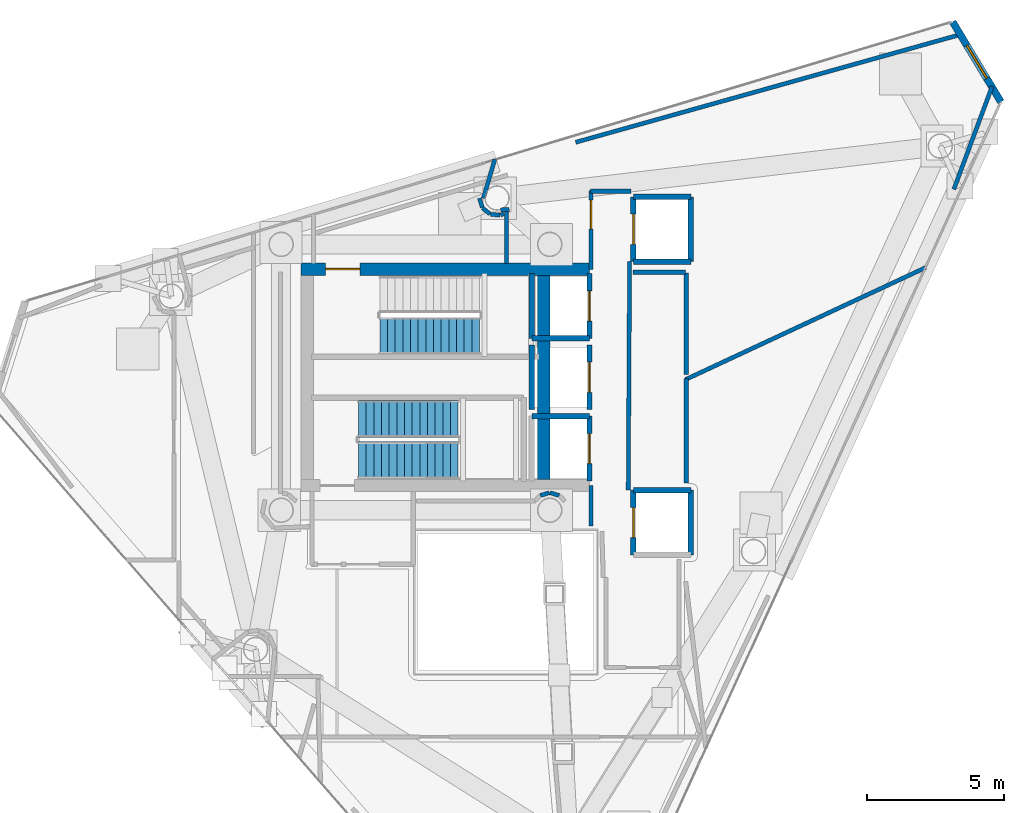
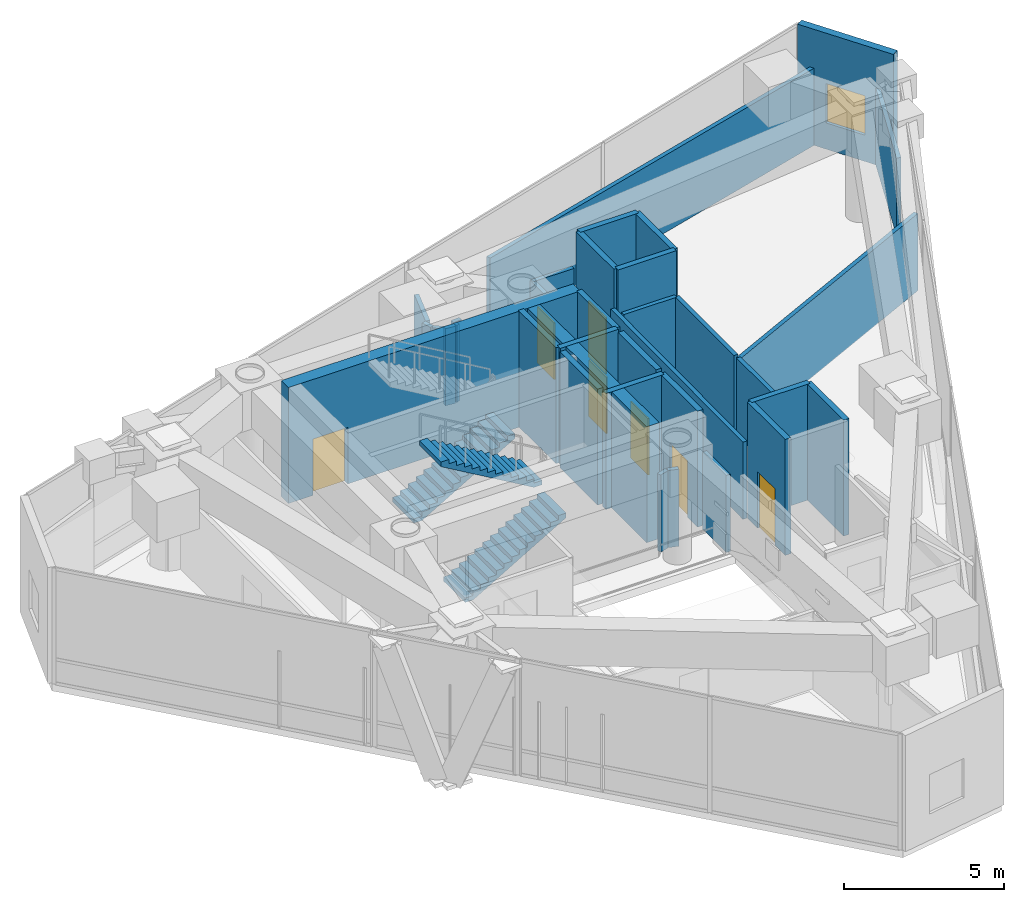
# One storey, part 17 of 20: 36 walls, 7 doors, 3 stair flights, 1 window, 8 openings, 2 elements without a shape of their own.
"""IFC4 building model written with IfcOpenShell, lengths in metres."""

from ifc_helpers import new_model, si_unit, direction, frame, frame_2d, origin, place, context, subcontext, project, spatial, polyline, rectangle, outline, extrude, material, layer, layer_set, type_object, element, fill, aggregate, save


model = new_model("IFC4")

# Units and contexts
model_context = context("Model", 3, precision=1e-05, world=origin(), true_north=direction((0.0, 1.0)))
body_context = subcontext(model_context, "Body", "Model", "MODEL_VIEW")
ifc_project = project(units=[si_unit("LENGTHUNIT", "METRE"), si_unit("AREAUNIT", "SQUARE_METRE"), si_unit("VOLUMEUNIT", "CUBIC_METRE"), si_unit("PLANEANGLEUNIT", "RADIAN"), si_unit("MASSUNIT", "GRAM", prefix="KILO")], contexts=[model_context])

# Site, building, storey
site_placement = place(None, origin())
site = spatial("IfcSite", under=ifc_project, at=site_placement, CompositionType="ELEMENT")
building_placement = place(site_placement, origin())
building = spatial("IfcBuilding", under=site, at=building_placement, Name="Qianvela Tower", CompositionType="ELEMENT")
storey_placement = place(building_placement, frame((0.0, 0.0, 321.300048828125)))
storey = spatial("IfcBuildingStorey", under=building, at=storey_placement, Name="L83", CompositionType="ELEMENT", Elevation=321.300048828125)

# Wall, opening, window
ifc_material_1 = material(Name="Terracotta Cladding on Concrete C40", Category="masonry")
ifc_layer_1 = layer(ifc_material_1, 0.260009765625)
ifc_layer_set_1 = layer_set([ifc_layer_1], Name="Terracotta Cladding on Concrete C40")
wall_type_1 = type_object("IfcWallType", Name="TERRACOTTA-WALL-260", PredefinedType="SOLIDWALL", material=ifc_layer_set_1)
wall_1_placement = place(storey_placement, frame((54.860595703125, 38.748046875, 0.0), z_axis=(0.0, 0.0, 1.0), x_axis=(-0.516431513538, 0.856328495278, 0.0)))
wall_1 = element("IfcWall", 1, at=wall_1_placement, inside=storey, type_object=wall_type_1, Name="L83 Terracotta Chamfer Facet Wall 1", PredefinedType="SOLIDWALL", context=body_context, shape_type="SweptSolid", body=[
    extrude(rectangle(XDim=3.410400390625, YDim=0.260009765625, at=frame_2d((1.705078125, 0.0))), origin(), (0.0, 0.0, 1.0), 4.419921875),
])
opening_1_placement = place(wall_1_placement, frame((1.005126953125, 0.0, 1.0)))
opening_1 = element("IfcOpeningElement", 2, at=opening_1_placement, cuts=wall_1, Name="Opening W-06", PredefinedType="OPENING", context=body_context, shape_type="SweptSolid", body=[
    extrude(rectangle(XDim=1.39990234375, YDim=1.5, at=frame_2d((0.699951171875, 0.75))), frame((0.0, 0.139892578125, 0.0), z_axis=(0.0, -1.0, 0.0), x_axis=(1.0, 0.0, 0.0)), (0.0, 0.0, 1.0), 0.280029296875),
])
ifc_material_2 = material(Name="Thermally Broken Aluminium and Low-E Glass", Category="aluminium")
window_type = type_object("IfcWindowType", Name="WIN-REF-1400x1500", PartitioningType="SINGLE_PANEL", PredefinedType="WINDOW", material=ifc_material_2)
window_placement = place(opening_1_placement, origin())
window = element("IfcWindow", 3, at=window_placement, inside=storey, type_object=window_type, Name="L83 Chamfer Facet Window 1.1", OverallHeight=1.5, OverallWidth=1.39990234375, PartitioningType="SINGLE_PANEL", PredefinedType="WINDOW", context=body_context, shape_type="SweptSolid", body=[
    extrude(rectangle(XDim=1.39990234375, YDim=1.5, at=frame_2d((0.699951171875, 0.75))), frame((0.0, 0.030029296875, 0.0), z_axis=(0.0, -1.0, 0.0), x_axis=(1.0, 0.0, 0.0)), (0.0, 0.0, 1.0), 0.06005859375),
])
fill(opening_1, window)

# Wall, opening, door
ifc_material_3 = material(Name="Concrete C50", Category="concrete")
ifc_layer_2 = layer(ifc_material_3, 0.449951171875)
ifc_layer_set_2 = layer_set([ifc_layer_2], Name="Concrete C50")
wall_type_2 = type_object("IfcWallType", Name="WT-CORE-450", PredefinedType="SHEAR", material=ifc_layer_set_2)
wall_2_placement = place(storey_placement, frame((29.330078125, 32.64501953125, 0.0), z_axis=(0.0, 0.0, 1.0), x_axis=(1.0, 0.0, 0.0)))
wall_2 = element("IfcWall", 4, at=wall_2_placement, inside=storey, type_object=wall_type_2, Name="L83 North Core Shear Wall", PredefinedType="SHEAR", context=body_context, shape_type="SweptSolid", body=[
    extrude(rectangle(XDim=10.52001953125, YDim=0.449951171875, at=frame_2d((5.260009765625, 0.0))), origin(), (0.0, 0.0, 1.0), 4.419921875),
])
opening_2_placement = place(wall_2_placement, frame((0.89501953125, 0.0, 0.0)))
opening_2 = element("IfcOpeningElement", 5, at=opening_2_placement, cuts=wall_2, Name="Opening D-ST1", PredefinedType="OPENING", context=body_context, shape_type="SweptSolid", body=[
    extrude(rectangle(XDim=1.25, YDim=2.14990234375, at=frame_2d((0.625, 1.074951171875))), frame((0.0, 0.23486328125, 0.0), z_axis=(0.0, -1.0, 0.0), x_axis=(1.0, 0.0, 0.0)), (0.0, 0.0, 1.0), 0.469970703125),
])
ifc_material_4 = material(Name="Galvanised Fire Steel Q355B", Category="steel")
door_type_1 = type_object("IfcDoorType", Name="DT-STAIR-FD90", OperationType="NOTDEFINED", PredefinedType="DOOR", material=ifc_material_4)
door_1_placement = place(opening_2_placement, origin())
door_1 = element("IfcDoor", 6, at=door_1_placement, inside=storey, type_object=door_type_1, Name="L83 Stair ST-1 Exit Door", OperationType="SINGLE_SWING_RIGHT", OverallHeight=2.14990234375, OverallWidth=1.25, PredefinedType="DOOR", context=body_context, shape_type="SweptSolid", body=[
    extrude(rectangle(XDim=1.25, YDim=2.14990234375, at=frame_2d((0.625, 1.074951171875))), frame((0.0, 0.02490234375, 0.0), z_axis=(0.0, -1.0, 0.0), x_axis=(1.0, 0.0, 0.0)), (0.0, 0.0, 1.0), 0.050048828125),
])
fill(opening_2, door_1)

# Walls
wall_3_placement = place(storey_placement, frame((38.179931640625, 24.97998046875, 0.0), z_axis=(0.0, 0.0, 1.0), x_axis=(0.0, 1.0, 0.0)))
element("IfcWall", 7, at=wall_3_placement, inside=storey, type_object=wall_type_2, Name="L83 East Spine Core Shear Wall", PredefinedType="SHEAR", context=body_context, shape_type="SweptSolid", body=[
    extrude(rectangle(XDim=7.43994140625, YDim=0.449951171875, at=frame_2d((3.719970703125, 0.0))), origin(), (0.0, 0.0, 1.0), 4.419921875),
])
ifc_material_5 = material(Name="Fire-Rated Acoustic Gypsum Board")
ifc_layer_3 = layer(ifc_material_5, 0.14990234375)
ifc_layer_set_3 = layer_set([ifc_layer_3], Name="Fire-Rated Acoustic Gypsum Board")
wall_type_3 = type_object("IfcWallType", Name="WT-CORR-150", PredefinedType="PARTITIONING", material=ifc_layer_set_3)
wall_4_placement = place(storey_placement, frame((35.836181640625, 35.23388671875, 0.0), z_axis=(0.0, 0.0, 1.0), x_axis=(0.29088731233, -0.956757321124, 0.0)))
element("IfcWall", 8, at=wall_4_placement, inside=storey, type_object=wall_type_3, Name="L83 Partition 5", PredefinedType="PARTITIONING", context=body_context, shape_type="SweptSolid", body=[
    extrude(rectangle(XDim=0.354248046875, YDim=0.14990234375, at=frame_2d((0.17724609375, 0.0))), origin(), (0.0, 0.0, 1.0), 2.93994140625),
])
wall_5_placement = place(storey_placement, frame((35.94921875, 34.880126953125, 0.0), z_axis=(0.0, 0.0, 1.0), x_axis=(0.77300400279, -0.634401144128, 0.0)))
element("IfcWall", 9, at=wall_5_placement, inside=storey, type_object=wall_type_3, Name="L83 Partition 6", PredefinedType="PARTITIONING", context=body_context, shape_type="SweptSolid", body=[
    extrude(rectangle(XDim=0.35400390625, YDim=0.14990234375, at=frame_2d((0.177001953125, 0.0))), origin(), (0.0, 0.0, 1.0), 2.93994140625),
])
wall_6_placement = place(storey_placement, frame((36.239501953125, 34.648681640625, 0.0), z_axis=(0.0, 0.0, 1.0), x_axis=(0.995199611942, -0.097865889817, 0.0)))
element("IfcWall", 10, at=wall_6_placement, inside=storey, type_object=wall_type_3, Name="L83 Partition 7", PredefinedType="PARTITIONING", context=body_context, shape_type="SweptSolid", body=[
    extrude(rectangle(XDim=0.354248046875, YDim=0.14990234375, at=frame_2d((0.17724609375, 0.0))), origin(), (0.0, 0.0, 1.0), 2.93994140625),
])
wall_7_placement = place(storey_placement, frame((36.608154296875, 34.61669921875, 0.0), z_axis=(0.0, 0.0, 1.0), x_axis=(0.90494499914, 0.425528551957, 0.0)))
element("IfcWall", 11, at=wall_7_placement, inside=storey, type_object=wall_type_3, Name="L83 Partition 8", PredefinedType="PARTITIONING", context=body_context, shape_type="SweptSolid", body=[
    extrude(rectangle(XDim=0.13134765625, YDim=0.14990234375, at=frame_2d((0.065673828125, 0.0))), origin(), (0.0, 0.0, 1.0), 2.93994140625),
])
wall_8_placement = place(storey_placement, frame((36.819091796875, 34.7646484375, 0.0), z_axis=(0.0, 0.0, 1.0), x_axis=(0.0, -1.0, 0.0)))
element("IfcWall", 12, at=wall_8_placement, inside=storey, type_object=wall_type_3, Name="L83 Partition 9", PredefinedType="PARTITIONING", context=body_context, shape_type="SweptSolid", body=[
    extrude(rectangle(XDim=1.90673828125, YDim=0.14990234375, at=frame_2d((0.953369140625, 0.0))), origin(), (0.0, 0.0, 1.0), 2.93994140625),
])
wall_9_placement = place(storey_placement, frame((39.910888671875, 23.280029296875, 0.0), z_axis=(0.0, 0.0, 1.0), x_axis=(0.0, 1.0, 0.0)))
element("IfcWall", 13, at=wall_9_placement, inside=storey, type_object=wall_type_3, Name="L83 Partition 18", PredefinedType="PARTITIONING", context=body_context, shape_type="SweptSolid", body=[
    extrude(rectangle(XDim=1.47998046875, YDim=0.14990234375, at=frame_2d((0.739990234375, 0.0))), origin(), (0.0, 0.0, 1.0), 2.93994140625),
])

# Wall, opening, door
wall_10_placement = place(storey_placement, frame((39.910888671875, 32.639892578125, 0.0), z_axis=(0.0, 0.0, 1.0), x_axis=(0.0, 1.0, 0.0)))
wall_10 = element("IfcWall", 14, at=wall_10_placement, inside=storey, type_object=wall_type_3, Name="L83 Partition 20", PredefinedType="PARTITIONING", context=body_context, shape_type="SweptSolid", body=[
    extrude(rectangle(XDim=2.880126953125, YDim=0.14990234375, at=frame_2d((1.43994140625, 0.0))), origin(), (0.0, 0.0, 1.0), 2.93994140625),
])
opening_3_placement = place(wall_10_placement, frame((1.47509765625, 0.0, 0.0)))
opening_3 = element("IfcOpeningElement", 15, at=opening_3_placement, cuts=wall_10, Name="Opening D-PL1", PredefinedType="OPENING", context=body_context, shape_type="SweptSolid", body=[
    extrude(rectangle(XDim=1.050048828125, YDim=2.14990234375, at=frame_2d((0.52490234375, 1.074951171875))), frame((0.0, 0.0849609375, 0.0), z_axis=(0.0, -1.0, 0.0), x_axis=(1.0, 0.0, 0.0)), (0.0, 0.0, 1.0), 0.169921875),
])
ifc_material_6 = material(Name="Insulated Steel Fire Door Q355B", Category="steel")
door_type_2 = type_object("IfcDoorType", Name="DT-PLANT-FD90", OperationType="NOTDEFINED", PredefinedType="DOOR", material=ifc_material_6)
door_2_placement = place(opening_3_placement, origin())
door_2 = element("IfcDoor", 16, at=door_2_placement, inside=storey, type_object=door_type_2, Name="L83 Door L83 Fire Water Tank and Pump Room to L83 Lift Lobby", OperationType="SINGLE_SWING_LEFT", OverallHeight=2.14990234375, OverallWidth=1.050048828125, PredefinedType="DOOR", context=body_context, shape_type="SweptSolid", body=[
    extrude(rectangle(XDim=1.050048828125, YDim=2.14990234375, at=frame_2d((0.52490234375, 1.074951171875))), frame((0.0, 0.02490234375, 0.0), z_axis=(0.0, -1.0, 0.0), x_axis=(1.0, 0.0, 0.0)), (0.0, 0.0, 1.0), 0.050048828125),
])
fill(opening_3, door_2)

# Walls
wall_11_placement = place(storey_placement, frame((39.8798828125, 35.489013671875, 0.0), z_axis=(0.0, 0.0, 1.0), x_axis=(1.0, 0.0, 0.0)))
element("IfcWall", 17, at=wall_11_placement, inside=storey, type_object=wall_type_3, Name="L83 Partition 21", PredefinedType="PARTITIONING", context=body_context, shape_type="SweptSolid", body=[
    extrude(rectangle(XDim=1.480224609375, YDim=0.14990234375, at=frame_2d((0.740234375, 0.0))), origin(), (0.0, 0.0, 1.0), 2.93994140625),
])
wall_12_placement = place(storey_placement, frame((41.3134765625, 32.919921875, 0.0), z_axis=(0.0, 0.0, 1.0), x_axis=(-0.005942518022, -0.999982343084, 0.0)))
element("IfcWall", 18, at=wall_12_placement, inside=storey, type_object=wall_type_3, Name="L83 Partition 22 seg 2", PredefinedType="PARTITIONING", context=body_context, shape_type="SweptSolid", body=[
    extrude(rectangle(XDim=8.340087890625, YDim=0.14990234375, at=frame_2d((4.169921875, 0.0))), origin(), (0.0, 0.0, 1.0), 2.93994140625),
])
wall_13_placement = place(storey_placement, frame((38.747802734375, 24.386962890625, 0.0), z_axis=(0.0, 0.0, 1.0), x_axis=(-0.956948991291, 0.290256142171, 0.0)))
element("IfcWall", 19, at=wall_13_placement, inside=storey, type_object=wall_type_3, Name="L83 Partition 40", PredefinedType="PARTITIONING", context=body_context, shape_type="SweptSolid", body=[
    extrude(rectangle(XDim=0.35400390625, YDim=0.14990234375, at=frame_2d((0.177001953125, 0.0))), origin(), (0.0, 0.0, 1.0), 2.93994140625),
])
wall_14_placement = place(storey_placement, frame((38.39111328125, 24.48974609375, 0.0), z_axis=(0.0, 0.0, 1.0), x_axis=(-0.957007018611, -0.290064762301, 0.0)))
element("IfcWall", 20, at=wall_14_placement, inside=storey, type_object=wall_type_3, Name="L83 Partition 41", PredefinedType="PARTITIONING", context=body_context, shape_type="SweptSolid", body=[
    extrude(rectangle(XDim=0.354248046875, YDim=0.14990234375, at=frame_2d((0.17724609375, 0.0))), origin(), (0.0, 0.0, 1.0), 2.93994140625),
])
wall_15_placement = place(storey_placement, frame((43.381103515625, 24.85009765625, 0.0), z_axis=(0.0, 0.0, 1.0), x_axis=(0.0, 1.0, 0.0)))
element("IfcWall", 21, at=wall_15_placement, inside=storey, type_object=wall_type_3, Name="L83 Partition 82", PredefinedType="PARTITIONING", context=body_context, shape_type="SweptSolid", body=[
    extrude(rectangle(XDim=3.800537109375, YDim=0.14990234375, at=frame_2d((1.900390625, 0.0))), origin(), (0.0, 0.0, 1.0), 2.93994140625),
])
wall_16_placement = place(storey_placement, frame((43.363037109375, 28.62255859375, 0.0), z_axis=(0.0, 0.0, 1.0), x_axis=(0.906306431774, 0.422621168099, 0.0)))
element("IfcWall", 22, at=wall_16_placement, inside=storey, type_object=wall_type_3, Name="L83 Partition 83", PredefinedType="PARTITIONING", context=body_context, shape_type="SweptSolid", body=[
    extrude(rectangle(XDim=9.659423828125, YDim=0.14990234375, at=frame_2d((4.82958984375, 0.0))), origin(), (0.0, 0.0, 1.0), 2.93994140625),
])
wall_17_placement = place(storey_placement, frame((36.921630859375, 34.826904296875, 0.0), z_axis=(0.0, 0.0, 1.0), x_axis=(-0.998076926927, -0.061987482097, 0.0)))
element("IfcWall", 23, at=wall_17_placement, inside=storey, type_object=wall_type_3, Name="L83 Partition 102 seg 1", PredefinedType="PARTITIONING", context=body_context, shape_type="SweptSolid", body=[
    extrude(rectangle(XDim=0.31103515625, YDim=0.14990234375, at=frame_2d((0.155517578125, 0.0))), origin(), (0.0, 0.0, 1.0), 2.93994140625),
])
wall_18_placement = place(storey_placement, frame((35.9765625, 35.230224609375, 0.0), z_axis=(0.0, 0.0, 1.0), x_axis=(0.283119181647, 0.959084735038, 0.0)))
element("IfcWall", 24, at=wall_18_placement, inside=storey, type_object=wall_type_3, Name="L83 Partition 105", PredefinedType="PARTITIONING", context=body_context, shape_type="SweptSolid", body=[
    extrude(rectangle(XDim=1.484130859375, YDim=0.14990234375, at=frame_2d((0.7421875, 0.0))), origin(), (0.0, 0.0, 1.0), 2.93994140625),
])
wall_19_placement = place(storey_placement, frame((39.34423828125, 37.2734375, 0.0), z_axis=(0.0, 0.0, 1.0), x_axis=(0.96295429031, 0.269664670976, 0.0)))
element("IfcWall", 25, at=wall_19_placement, inside=storey, type_object=wall_type_3, Name="L83 Partition 113 seg 2", PredefinedType="PARTITIONING", context=body_context, shape_type="SweptSolid", body=[
    extrude(rectangle(XDim=14.59521484375, YDim=0.14990234375, at=frame_2d((7.297607421875, 0.0))), origin(), (0.0, 0.0, 1.0), 2.93994140625),
])
wall_20_placement = place(storey_placement, frame((54.539794921875, 39.31201171875, 0.0), z_axis=(0.0, 0.0, 1.0), x_axis=(-0.34907858758, -0.93709345302, 0.0)))
element("IfcWall", 26, at=wall_20_placement, inside=storey, type_object=wall_type_3, Name="L83 Partition 115 seg 1", PredefinedType="PARTITIONING", context=body_context, shape_type="SweptSolid", body=[
    extrude(rectangle(XDim=4.00537109375, YDim=0.14990234375, at=frame_2d((2.002685546875, 0.0))), origin(), (0.0, 0.0, 1.0), 2.93994140625),
])
wall_21_placement = place(storey_placement, frame((43.381103515625, 28.80517578125, 0.0), z_axis=(0.0, 0.0, 1.0), x_axis=(0.0, 1.0, 0.0)))
element("IfcWall", 27, at=wall_21_placement, inside=storey, type_object=wall_type_3, Name="L83 Partition 117", PredefinedType="PARTITIONING", context=body_context, shape_type="SweptSolid", body=[
    extrude(rectangle(XDim=3.69482421875, YDim=0.14990234375, at=frame_2d((1.847412109375, 0.0))), origin(), (0.0, 0.0, 1.0), 2.93994140625),
])
wall_22_placement = place(storey_placement, frame((43.35009765625, 32.531005859375, 0.0), z_axis=(0.0, 0.0, 1.0), x_axis=(-1.0, 0.0, 0.0)))
element("IfcWall", 28, at=wall_22_placement, inside=storey, type_object=wall_type_3, Name="L83 Partition 118", PredefinedType="PARTITIONING", context=body_context, shape_type="SweptSolid", body=[
    extrude(rectangle(XDim=1.91015625, YDim=0.14990234375, at=frame_2d((0.955078125, 0.0))), origin(), (0.0, 0.0, 1.0), 2.93994140625),
])

# Wall, opening, door
ifc_material_7 = material(Name="Concrete C50", Category="concrete")
ifc_layer_4 = layer(ifc_material_7, 0.199951171875)
ifc_layer_set_4 = layer_set([ifc_layer_4], Name="Concrete C50")
wall_type_4 = type_object("IfcWallType", Name="WT-SHAFT-200", PredefinedType="SOLIDWALL", material=ifc_layer_set_4)
wall_23_placement = place(storey_placement, frame((39.85009765625, 30.1201171875, 0.0), z_axis=(0.0, 0.0, 1.0), x_axis=(0.0, 1.0, 0.0)))
wall_23 = element("IfcWall", 29, at=wall_23_placement, inside=storey, type_object=wall_type_4, Name="L83 Lift FL-1 E Shaft Wall", PredefinedType="SOLIDWALL", context=body_context, shape_type="SweptSolid", body=[
    extrude(rectangle(XDim=2.35986328125, YDim=0.199951171875, at=frame_2d((1.179931640625, 0.0))), origin(), (0.0, 0.0, 1.0), 4.419921875),
])
opening_4_placement = place(wall_23_placement, frame((0.6298828125, 0.0, 0.0)))
opening_4 = element("IfcOpeningElement", 30, at=opening_4_placement, cuts=wall_23, Name="Opening LD-01", PredefinedType="OPENING", context=body_context, shape_type="SweptSolid", body=[
    extrude(rectangle(XDim=1.10009765625, YDim=2.14990234375, at=frame_2d((0.550048828125, 1.074951171875))), frame((0.0, 0.10986328125, 0.0), z_axis=(0.0, -1.0, 0.0), x_axis=(1.0, 0.0, 0.0)), (0.0, 0.0, 1.0), 0.219970703125),
])
ifc_material_8 = material(Name="Brushed Stainless Steel Lift Landing Door", Category="steel")
door_type_3 = type_object("IfcDoorType", Name="DT-LIFT-SLIDE-1100", OperationType="SLIDING_TO_LEFT", PredefinedType="DOOR", material=ifc_material_8)
door_3_placement = place(opening_4_placement, origin())
door_3 = element("IfcDoor", 31, at=door_3_placement, inside=storey, type_object=door_type_3, Name="L83 Lift FL-1 Sliding Landing Door", OperationType="SLIDING_TO_LEFT", OverallHeight=2.14990234375, OverallWidth=1.10009765625, PredefinedType="DOOR", context=body_context, shape_type="SweptSolid", body=[
    extrude(rectangle(XDim=1.10009765625, YDim=2.14990234375, at=frame_2d((0.550048828125, 1.074951171875))), frame((0.0, 0.02490234375, 0.0), z_axis=(0.0, -1.0, 0.0), x_axis=(1.0, 0.0, 0.0)), (0.0, 0.0, 1.0), 0.050048828125),
])
fill(opening_4, door_3)

# Walls
wall_24_placement = place(storey_placement, frame((37.75, 30.1201171875, 0.0), z_axis=(0.0, 0.0, 1.0), x_axis=(0.0, 1.0, 0.0)))
element("IfcWall", 32, at=wall_24_placement, inside=storey, type_object=wall_type_4, Name="L83 Lift FL-1 W Shaft Wall", PredefinedType="SOLIDWALL", context=body_context, shape_type="SweptSolid", body=[
    extrude(rectangle(XDim=2.35986328125, YDim=0.199951171875, at=frame_2d((1.179931640625, 0.0))), origin(), (0.0, 0.0, 1.0), 4.419921875),
])
wall_25_placement = place(storey_placement, frame((37.75, 30.1201171875, 0.0), z_axis=(0.0, 0.0, 1.0), x_axis=(1.0, 0.0, 0.0)))
element("IfcWall", 33, at=wall_25_placement, inside=storey, type_object=wall_type_4, Name="L83 Lift FL-1 S Shaft Wall", PredefinedType="SOLIDWALL", context=body_context, shape_type="SweptSolid", body=[
    extrude(rectangle(XDim=2.10009765625, YDim=0.199951171875, at=frame_2d((1.050048828125, 0.0))), origin(), (0.0, 0.0, 1.0), 4.419921875),
])

# Wall, opening, door
wall_26_placement = place(storey_placement, frame((39.85009765625, 24.919921875, 0.0), z_axis=(0.0, 0.0, 1.0), x_axis=(0.0, 1.0, 0.0)))
wall_26 = element("IfcWall", 34, at=wall_26_placement, inside=storey, type_object=wall_type_4, Name="L83 Lift FL-2 E Shaft Wall", PredefinedType="SOLIDWALL", context=body_context, shape_type="SweptSolid", body=[
    extrude(rectangle(XDim=2.360107421875, YDim=0.199951171875, at=frame_2d((1.18017578125, 0.0))), origin(), (0.0, 0.0, 1.0), 4.419921875),
])
opening_5_placement = place(wall_26_placement, frame((0.6298828125, 0.0, 0.0)))
opening_5 = element("IfcOpeningElement", 35, at=opening_5_placement, cuts=wall_26, Name="Opening LD-01", PredefinedType="OPENING", context=body_context, shape_type="SweptSolid", body=[
    extrude(rectangle(XDim=1.10009765625, YDim=2.14990234375, at=frame_2d((0.550048828125, 1.074951171875))), frame((0.0, 0.10986328125, 0.0), z_axis=(0.0, -1.0, 0.0), x_axis=(1.0, 0.0, 0.0)), (0.0, 0.0, 1.0), 0.219970703125),
])
door_4_placement = place(opening_5_placement, origin())
door_4 = element("IfcDoor", 36, at=door_4_placement, inside=storey, type_object=door_type_3, Name="L83 Lift FL-2 Sliding Landing Door", OperationType="SLIDING_TO_LEFT", OverallHeight=2.14990234375, OverallWidth=1.10009765625, PredefinedType="DOOR", context=body_context, shape_type="SweptSolid", body=[
    extrude(rectangle(XDim=1.10009765625, YDim=2.14990234375, at=frame_2d((0.550048828125, 1.074951171875))), frame((0.0, 0.02490234375, 0.0), z_axis=(0.0, -1.0, 0.0), x_axis=(1.0, 0.0, 0.0)), (0.0, 0.0, 1.0), 0.050048828125),
])
fill(opening_5, door_4)

# Wall
wall_27_placement = place(storey_placement, frame((37.75, 27.280029296875, 0.0), z_axis=(0.0, 0.0, 1.0), x_axis=(1.0, 0.0, 0.0)))
element("IfcWall", 37, at=wall_27_placement, inside=storey, type_object=wall_type_4, Name="L83 Lift FL-2 N Shaft Wall", PredefinedType="SOLIDWALL", context=body_context, shape_type="SweptSolid", body=[
    extrude(rectangle(XDim=2.10009765625, YDim=0.199951171875, at=frame_2d((1.050048828125, 0.0))), origin(), (0.0, 0.0, 1.0), 4.419921875),
])

# Wall, opening, door
wall_28_placement = place(storey_placement, frame((39.85009765625, 27.52001953125, 0.0), z_axis=(0.0, 0.0, 1.0), x_axis=(0.0, 1.0, 0.0)))
wall_28 = element("IfcWall", 38, at=wall_28_placement, inside=storey, type_object=wall_type_4, Name="L83 Lift PL-H1 E Shaft Wall", PredefinedType="SOLIDWALL", context=body_context, shape_type="SweptSolid", body=[
    extrude(rectangle(XDim=2.35986328125, YDim=0.199951171875, at=frame_2d((1.179931640625, 0.0))), origin(), (0.0, 0.0, 1.0), 4.419921875),
])
opening_6_placement = place(wall_28_placement, frame((0.6298828125, 0.0, 0.0)))
opening_6 = element("IfcOpeningElement", 39, at=opening_6_placement, cuts=wall_28, Name="Opening LD-01", PredefinedType="OPENING", context=body_context, shape_type="SweptSolid", body=[
    extrude(rectangle(XDim=1.10009765625, YDim=2.14990234375, at=frame_2d((0.550048828125, 1.074951171875))), frame((0.0, 0.10986328125, 0.0), z_axis=(0.0, -1.0, 0.0), x_axis=(1.0, 0.0, 0.0)), (0.0, 0.0, 1.0), 0.219970703125),
])
door_5_placement = place(opening_6_placement, origin())
door_5 = element("IfcDoor", 40, at=door_5_placement, inside=storey, type_object=door_type_3, Name="L83 Lift PL-H1 Sliding Landing Door", OperationType="SLIDING_TO_LEFT", OverallHeight=2.14990234375, OverallWidth=1.10009765625, PredefinedType="DOOR", context=body_context, shape_type="SweptSolid", body=[
    extrude(rectangle(XDim=1.10009765625, YDim=2.14990234375, at=frame_2d((0.550048828125, 1.074951171875))), frame((0.0, 0.02490234375, 0.0), z_axis=(0.0, -1.0, 0.0), x_axis=(1.0, 0.0, 0.0)), (0.0, 0.0, 1.0), 0.050048828125),
])
fill(opening_6, door_5)

# Walls
wall_29_placement = place(storey_placement, frame((37.75, 27.52001953125, 0.0), z_axis=(0.0, 0.0, 1.0), x_axis=(0.0, 1.0, 0.0)))
element("IfcWall", 41, at=wall_29_placement, inside=storey, type_object=wall_type_4, Name="L83 Lift PL-H1 W Shaft Wall", PredefinedType="SOLIDWALL", context=body_context, shape_type="SweptSolid", body=[
    extrude(rectangle(XDim=2.35986328125, YDim=0.199951171875, at=frame_2d((1.179931640625, 0.0))), origin(), (0.0, 0.0, 1.0), 4.419921875),
])
wall_30_placement = place(storey_placement, frame((43.550048828125, 22.219970703125, 0.0), z_axis=(0.0, 0.0, 1.0), x_axis=(0.0, 1.0, 0.0)))
element("IfcWall", 42, at=wall_30_placement, inside=storey, type_object=wall_type_4, Name="L83 Lift PL-H2 E Shaft Wall", PredefinedType="SOLIDWALL", context=body_context, shape_type="SweptSolid", body=[
    extrude(rectangle(XDim=2.360107421875, YDim=0.199951171875, at=frame_2d((1.18017578125, 0.0))), origin(), (0.0, 0.0, 1.0), 4.419921875),
])

# Wall, opening, door
wall_31_placement = place(storey_placement, frame((41.449951171875, 22.219970703125, 0.0), z_axis=(0.0, 0.0, 1.0), x_axis=(0.0, 1.0, 0.0)))
wall_31 = element("IfcWall", 43, at=wall_31_placement, inside=storey, type_object=wall_type_4, Name="L83 Lift PL-H2 W Shaft Wall", PredefinedType="SOLIDWALL", context=body_context, shape_type="SweptSolid", body=[
    extrude(rectangle(XDim=2.360107421875, YDim=0.199951171875, at=frame_2d((1.18017578125, 0.0))), origin(), (0.0, 0.0, 1.0), 4.419921875),
])
opening_7_placement = place(wall_31_placement, frame((0.6298828125, 0.0, 0.0)))
opening_7 = element("IfcOpeningElement", 44, at=opening_7_placement, cuts=wall_31, Name="Opening LD-01", PredefinedType="OPENING", context=body_context, shape_type="SweptSolid", body=[
    extrude(rectangle(XDim=1.10009765625, YDim=2.14990234375, at=frame_2d((0.550048828125, 1.074951171875))), frame((0.0, 0.10986328125, 0.0), z_axis=(0.0, -1.0, 0.0), x_axis=(1.0, 0.0, 0.0)), (0.0, 0.0, 1.0), 0.219970703125),
])
door_6_placement = place(opening_7_placement, origin())
door_6 = element("IfcDoor", 45, at=door_6_placement, inside=storey, type_object=door_type_3, Name="L83 Lift PL-H2 Sliding Landing Door", OperationType="SLIDING_TO_LEFT", OverallHeight=2.14990234375, OverallWidth=1.10009765625, PredefinedType="DOOR", context=body_context, shape_type="SweptSolid", body=[
    extrude(rectangle(XDim=1.10009765625, YDim=2.14990234375, at=frame_2d((0.550048828125, 1.074951171875))), frame((0.0, 0.02490234375, 0.0), z_axis=(0.0, -1.0, 0.0), x_axis=(1.0, 0.0, 0.0)), (0.0, 0.0, 1.0), 0.050048828125),
])
fill(opening_7, door_6)

# Walls
wall_32_placement = place(storey_placement, frame((41.449951171875, 24.580078125, 0.0), z_axis=(0.0, 0.0, 1.0), x_axis=(1.0, 0.0, 0.0)))
element("IfcWall", 46, at=wall_32_placement, inside=storey, type_object=wall_type_4, Name="L83 Lift PL-H2 N Shaft Wall", PredefinedType="SOLIDWALL", context=body_context, shape_type="SweptSolid", body=[
    extrude(rectangle(XDim=2.10009765625, YDim=0.199951171875, at=frame_2d((1.050048828125, 0.0))), origin(), (0.0, 0.0, 1.0), 4.419921875),
])
wall_33_placement = place(storey_placement, frame((43.550048828125, 32.919921875, 0.0), z_axis=(0.0, 0.0, 1.0), x_axis=(0.0, 1.0, 0.0)))
element("IfcWall", 47, at=wall_33_placement, inside=storey, type_object=wall_type_4, Name="L83 Lift PL-H3 E Shaft Wall", PredefinedType="SOLIDWALL", context=body_context, shape_type="SweptSolid", body=[
    extrude(rectangle(XDim=2.360107421875, YDim=0.199951171875, at=frame_2d((1.18017578125, 0.0))), origin(), (0.0, 0.0, 1.0), 4.419921875),
])

# Wall, opening, door
wall_34_placement = place(storey_placement, frame((41.449951171875, 32.919921875, 0.0), z_axis=(0.0, 0.0, 1.0), x_axis=(0.0, 1.0, 0.0)))
wall_34 = element("IfcWall", 48, at=wall_34_placement, inside=storey, type_object=wall_type_4, Name="L83 Lift PL-H3 W Shaft Wall", PredefinedType="SOLIDWALL", context=body_context, shape_type="SweptSolid", body=[
    extrude(rectangle(XDim=2.360107421875, YDim=0.199951171875, at=frame_2d((1.18017578125, 0.0))), origin(), (0.0, 0.0, 1.0), 4.419921875),
])
opening_8_placement = place(wall_34_placement, frame((0.6298828125, 0.0, 0.0)))
opening_8 = element("IfcOpeningElement", 49, at=opening_8_placement, cuts=wall_34, Name="Opening LD-01", PredefinedType="OPENING", context=body_context, shape_type="SweptSolid", body=[
    extrude(rectangle(XDim=1.10009765625, YDim=2.14990234375, at=frame_2d((0.550048828125, 1.074951171875))), frame((0.0, 0.10986328125, 0.0), z_axis=(0.0, -1.0, 0.0), x_axis=(1.0, 0.0, 0.0)), (0.0, 0.0, 1.0), 0.219970703125),
])
door_7_placement = place(opening_8_placement, origin())
door_7 = element("IfcDoor", 50, at=door_7_placement, inside=storey, type_object=door_type_3, Name="L83 Lift PL-H3 Sliding Landing Door", OperationType="SLIDING_TO_LEFT", OverallHeight=2.14990234375, OverallWidth=1.10009765625, PredefinedType="DOOR", context=body_context, shape_type="SweptSolid", body=[
    extrude(rectangle(XDim=1.10009765625, YDim=2.14990234375, at=frame_2d((0.550048828125, 1.074951171875))), frame((0.0, 0.02490234375, 0.0), z_axis=(0.0, -1.0, 0.0), x_axis=(1.0, 0.0, 0.0)), (0.0, 0.0, 1.0), 0.050048828125),
])
fill(opening_8, door_7)

# Walls
for number, where, z_axis, x_axis, name in (
    (51, (41.449951171875, 35.280029296875, 0.0), (0.0, 0.0, 1.0), (1.0, 0.0, 0.0), "L83 Lift PL-H3 N Shaft Wall"),
    (52, (41.449951171875, 32.919921875, 0.0), (0.0, 0.0, 1.0), (1.0, 0.0, 0.0), "L83 Lift PL-H3 S Shaft Wall"),
):
    element("IfcWall", number, at=place(storey_placement, frame(where, z_axis=z_axis, x_axis=x_axis)), inside=storey, type_object=wall_type_4, Name=name, PredefinedType="SOLIDWALL", context=body_context, shape_type="SweptSolid", body=[
        extrude(rectangle(XDim=2.10009765625, YDim=0.199951171875, at=frame_2d((1.050048828125, 0.0))), origin(), (0.0, 0.0, 1.0), 4.419921875),
    ])

# Stair, stair flight
ifc_material_9 = material(Name="Concrete C40", Category="concrete")
stair_type = type_object("IfcStairType", Name="ST-DOGLEG-1350-R164-N28", PredefinedType="HALF_TURN_STAIR", material=ifc_material_9)
stair_1_placement = place(storey_placement, origin())
stair_1 = element("IfcStair", 53, at=stair_1_placement, inside=storey, type_object=stair_type, Name="L83 Smoke-Proof Core Stair ST-1", PredefinedType="HALF_TURN_STAIR")
ifc_material_10 = material(Name="Concrete C40", Category="concrete")
stair_flight_type = type_object("IfcStairFlightType", Name="STF-STRAIGHT-R164-P14", PredefinedType="STRAIGHT", material=ifc_material_10)
stair_flight_1_placement = place(storey_placement, frame((32.199951171875, 30.215087890625, 0.0), z_axis=(0.0, 0.0, 1.0), x_axis=(1.0, 0.0, 0.0)))
stair_flight_1 = element("IfcStairFlight", 54, at=stair_flight_1_placement, type_object=stair_flight_type, Name="ST-1 flight 1", NumberOfRisers=14, NumberOfTreads=13, PredefinedType="STRAIGHT", RiserHeight=0.164285714, TreadLength=0.28, context=body_context, shape_type="SweptSolid", body=[
    extrude(outline(polyline([(0.0, 0.0), (0.0, 0.164306640625), (0.280029296875, 0.164306640625), (0.280029296875, 0.32861328125), (0.56005859375, 0.32861328125), (0.56005859375, 0.492919921875), (0.840087890625, 0.492919921875), (0.840087890625, 0.6572265625), (1.1201171875, 0.6572265625), (1.1201171875, 0.821533203125), (1.39990234375, 0.821533203125), (1.39990234375, 0.985595703125), (1.679931640625, 0.985595703125), (1.679931640625, 1.14990234375), (1.9599609375, 1.14990234375), (1.9599609375, 1.314208984375), (2.239990234375, 1.314208984375), (2.239990234375, 1.478515625), (2.52001953125, 1.478515625), (2.52001953125, 1.642822265625), (2.800048828125, 1.642822265625), (2.800048828125, 1.80712890625), (3.080078125, 1.80712890625), (3.080078125, 1.971435546875), (3.360107421875, 1.971435546875), (3.360107421875, 2.1357421875), (3.639892578125, 2.1357421875), (3.639892578125, 2.300048828125), (3.639892578125, 1.9619140625), (0.296142578125, 0.0), (0.0, 0.0)])), frame((0.0, 0.675048828125, 0.0), z_axis=(0.0, -1.0, 0.0), x_axis=(1.0, 0.0, 0.0)), (0.0, 0.0, 1.0), 1.35009765625),
])
aggregate(stair_1, [stair_flight_1])

# Stair, stair flights
stair_2_placement = place(storey_placement, origin())
stair_2 = element("IfcStair", 55, at=stair_2_placement, inside=storey, type_object=stair_type, Name="L83 Smoke-Proof Core Stair ST-2", PredefinedType="HALF_TURN_STAIR")
stair_flight_2_placement = place(storey_placement, frame((31.419921875, 25.675048828125, 0.0), z_axis=(0.0, 0.0, 1.0), x_axis=(1.0, 0.0, 0.0)))
stair_flight_2 = element("IfcStairFlight", 56, at=stair_flight_2_placement, type_object=stair_flight_type, Name="ST-2 flight 1", NumberOfRisers=14, NumberOfTreads=13, PredefinedType="STRAIGHT", RiserHeight=0.164285714, TreadLength=0.28, context=body_context, shape_type="SweptSolid", body=[
    extrude(outline(polyline([(0.0, 0.0), (0.0, 0.164306640625), (0.280029296875, 0.164306640625), (0.280029296875, 0.32861328125), (0.56005859375, 0.32861328125), (0.56005859375, 0.492919921875), (0.840087890625, 0.492919921875), (0.840087890625, 0.6572265625), (1.1201171875, 0.6572265625), (1.1201171875, 0.821533203125), (1.39990234375, 0.821533203125), (1.39990234375, 0.985595703125), (1.679931640625, 0.985595703125), (1.679931640625, 1.14990234375), (1.9599609375, 1.14990234375), (1.9599609375, 1.314208984375), (2.239990234375, 1.314208984375), (2.239990234375, 1.478515625), (2.52001953125, 1.478515625), (2.52001953125, 1.642822265625), (2.800048828125, 1.642822265625), (2.800048828125, 1.80712890625), (3.080078125, 1.80712890625), (3.080078125, 1.971435546875), (3.360107421875, 1.971435546875), (3.360107421875, 2.1357421875), (3.639892578125, 2.1357421875), (3.639892578125, 2.300048828125), (3.639892578125, 1.9619140625), (0.296142578125, 0.0), (0.0, 0.0)])), frame((0.0, 0.675048828125, 0.0), z_axis=(0.0, -1.0, 0.0), x_axis=(1.0, 0.0, 0.0)), (0.0, 0.0, 1.0), 1.35009765625),
])
stair_flight_3_placement = place(storey_placement, frame((35.06005859375, 27.18505859375, 2.300048828125), z_axis=(0.0, 0.0, 1.0), x_axis=(-1.0, 0.0, 0.0)))
stair_flight_3 = element("IfcStairFlight", 57, at=stair_flight_3_placement, type_object=stair_flight_type, Name="ST-2 flight 2", NumberOfRisers=14, NumberOfTreads=13, PredefinedType="STRAIGHT", RiserHeight=0.164285714, TreadLength=0.28, context=body_context, shape_type="SweptSolid", body=[
    extrude(outline(polyline([(0.0, 0.0), (0.0, 0.164306640625), (0.280029296875, 0.164306640625), (0.280029296875, 0.32861328125), (0.56005859375, 0.32861328125), (0.56005859375, 0.492919921875), (0.840087890625, 0.492919921875), (0.840087890625, 0.6572265625), (1.1201171875, 0.6572265625), (1.1201171875, 0.821533203125), (1.39990234375, 0.821533203125), (1.39990234375, 0.985595703125), (1.679931640625, 0.985595703125), (1.679931640625, 1.14990234375), (1.9599609375, 1.14990234375), (1.9599609375, 1.314208984375), (2.239990234375, 1.314208984375), (2.239990234375, 1.478515625), (2.52001953125, 1.478515625), (2.52001953125, 1.642822265625), (2.800048828125, 1.642822265625), (2.800048828125, 1.80712890625), (3.080078125, 1.80712890625), (3.080078125, 1.971435546875), (3.360107421875, 1.971435546875), (3.360107421875, 2.1357421875), (3.639892578125, 2.1357421875), (3.639892578125, 2.300048828125), (3.639892578125, 1.9619140625), (0.296142578125, 0.0), (0.0, 0.0)])), frame((0.0, 0.675048828125, 0.0), z_axis=(0.0, -1.0, 0.0), x_axis=(1.0, 0.0, 0.0)), (0.0, 0.0, 1.0), 1.35009765625),
])
aggregate(stair_2, [stair_flight_2, stair_flight_3])

save(model, "model.ifc")
